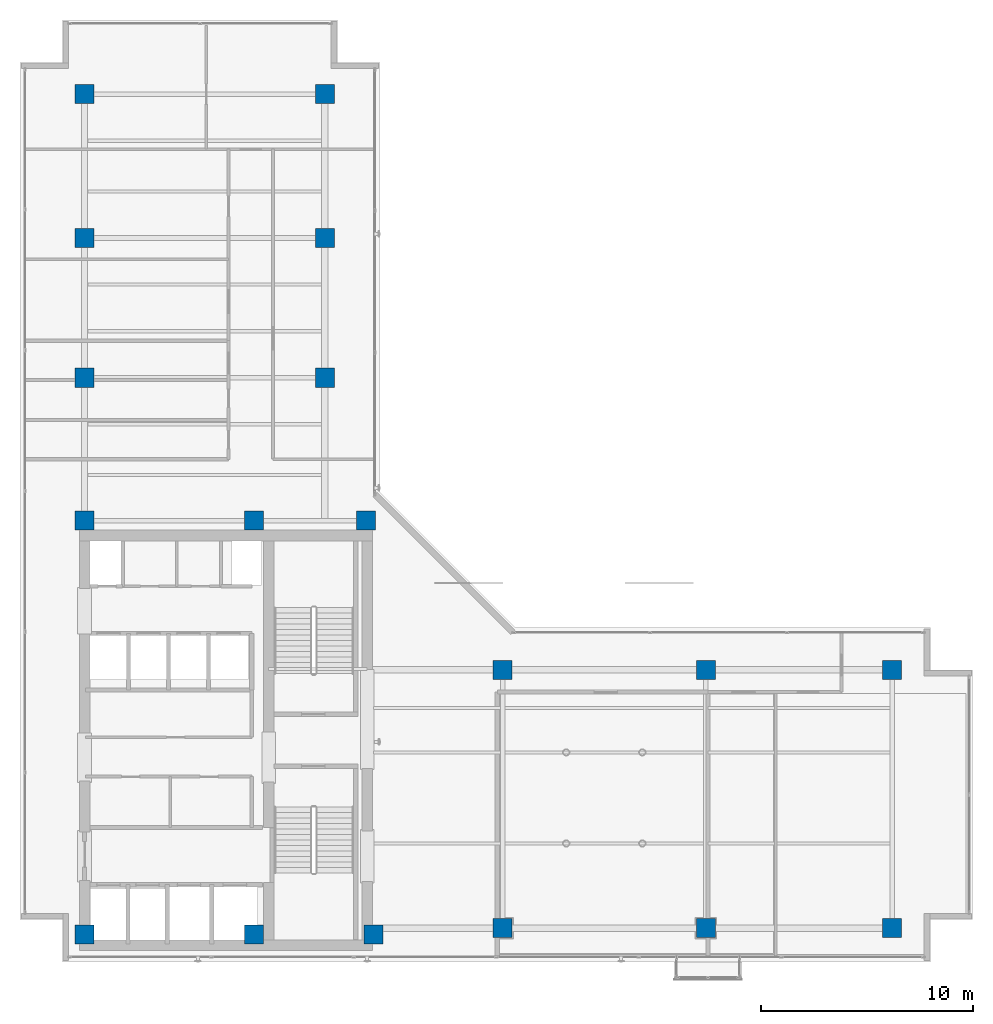
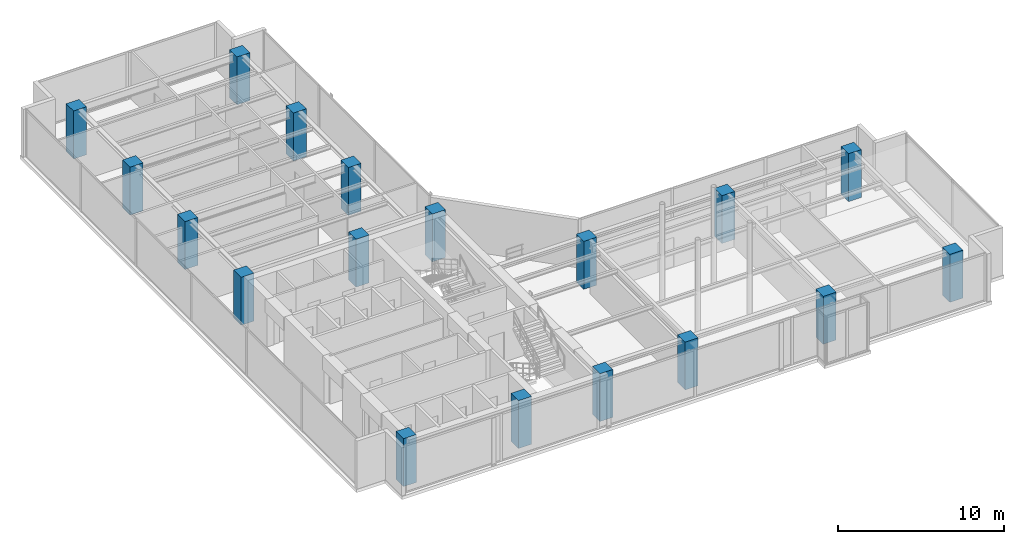
# One storey, part 1 of 32: 18 columns.
"""IFC4 building model written with IfcOpenShell, lengths in metres."""

from ifc_helpers import new_model, si_unit, direction, frame, origin, origin_2d, place, context, subcontext, project, spatial, rectangle, extrude, material, material_profile, profile_set, type_object, element, save


model = new_model("IFC4")

# Units and contexts
model_context = context("Model", 3, precision=1e-05, world=origin(), true_north=direction((0.0, 1.0)))
body_context = subcontext(model_context, "Body", "Model", "MODEL_VIEW")
ifc_project = project(units=[si_unit("LENGTHUNIT", "METRE"), si_unit("AREAUNIT", "SQUARE_METRE"), si_unit("VOLUMEUNIT", "CUBIC_METRE"), si_unit("PLANEANGLEUNIT", "RADIAN"), si_unit("MASSUNIT", "GRAM", prefix="KILO")], contexts=[model_context])

# Site, building, storey
site_placement = place(None, origin())
site = spatial("IfcSite", under=ifc_project, at=site_placement, CompositionType="ELEMENT")
building_placement = place(site_placement, origin())
building = spatial("IfcBuilding", under=site, at=building_placement, Name="Kolvaren Waterfront Exchange", CompositionType="ELEMENT")
storey_placement = place(building_placement, frame((0.0, 0.0, 348.10009765625)))
storey = spatial("IfcBuildingStorey", under=building, at=storey_placement, Name="L89", CompositionType="ELEMENT", Elevation=348.10009765625)

# Columns
ifc_material = material(Name="Concrete C50/60", Category="concrete")
ifc_material_profile = material_profile(ifc_material, rectangle(XDim=0.89990234375, YDim=0.89990234375, at=origin_2d()), Name="RC-COL-900x900")
ifc_profile_set = profile_set([ifc_material_profile], Name="Concrete C50/60")
column_type = type_object("IfcColumnType", Name="STR-COL-900-C50", PredefinedType="COLUMN", material=ifc_profile_set)
for number, where, z_axis, x_axis, name in (
    (1, (7.449951171875, 4.89990234375, 0.0), (0.0, 0.0, 1.0), (1.0, 0.0, 0.0), "L89 column MC01"),
    (2, (15.449951171875, 4.89990234375, 0.0), (0.0, 0.0, 1.0), (1.0, 0.0, 0.0), "L89 column MC02"),
    (3, (21.10009765625, 4.89990234375, 0.0), (0.0, 0.0, 1.0), (1.0, 0.0, 0.0), "L89 column MC03"),
    (4, (7.449951171875, 24.449951171875, 0.0), (0.0, 0.0, 1.0), (1.0, 0.0, 0.0), "L89 column MC04"),
    (5, (15.449951171875, 24.449951171875, 0.0), (0.0, 0.0, 1.0), (1.0, 0.0, 0.0), "L89 column MC05"),
    (6, (20.75, 24.449951171875, 0.0), (0.0, 0.0, 1.0), (1.0, 0.0, 0.0), "L89 column MC06"),
    (7, (7.449951171875, 31.199951171875, 0.0), (0.0, 0.0, 1.0), (1.0, 0.0, 0.0), "L89 column NC01"),
    (8, (7.449951171875, 37.800048828125, 0.0), (0.0, 0.0, 1.0), (1.0, 0.0, 0.0), "L89 column NC02"),
    (9, (7.449951171875, 44.60009765625, 0.0), (0.0, 0.0, 1.0), (1.0, 0.0, 0.0), "L89 column NC03"),
    (10, (18.800048828125, 31.199951171875, 0.0), (0.0, 0.0, 1.0), (1.0, 0.0, 0.0), "L89 column NC04"),
    (11, (18.800048828125, 37.800048828125, 0.0), (0.0, 0.0, 1.0), (1.0, 0.0, 0.0), "L89 column NC05"),
    (12, (18.800048828125, 44.60009765625, 0.0), (0.0, 0.0, 1.0), (1.0, 0.0, 0.0), "L89 column NC06"),
    (13, (27.199951171875, 5.199951171875, 0.0), (0.0, 0.0, 1.0), (1.0, 0.0, 0.0), "L89 column EC01"),
    (14, (36.800048828125, 5.199951171875, 0.0), (0.0, 0.0, 1.0), (1.0, 0.0, 0.0), "L89 column EC02"),
    (15, (45.60009765625, 5.199951171875, 0.0), (0.0, 0.0, 1.0), (1.0, 0.0, 0.0), "L89 column EC03"),
    (16, (27.199951171875, 17.39990234375, 0.0), (0.0, 0.0, 1.0), (1.0, 0.0, 0.0), "L89 column EC04"),
    (17, (36.800048828125, 17.39990234375, 0.0), (0.0, 0.0, 1.0), (1.0, 0.0, 0.0), "L89 column EC05"),
    (18, (45.60009765625, 17.39990234375, 0.0), (0.0, 0.0, 1.0), (1.0, 0.0, 0.0), "L89 column EC06"),
):
    element("IfcColumn", number, at=place(storey_placement, frame(where, z_axis=z_axis, x_axis=x_axis)), inside=storey, type_object=column_type, Name=name, PredefinedType="COLUMN", context=body_context, shape_type="SweptSolid", body=[
        extrude(rectangle(XDim=0.89990234375, YDim=0.89990234375, at=origin_2d()), origin(), (0.0, 0.0, 1.0), 3.52001953125),
    ])

save(model, "model.ifc")
